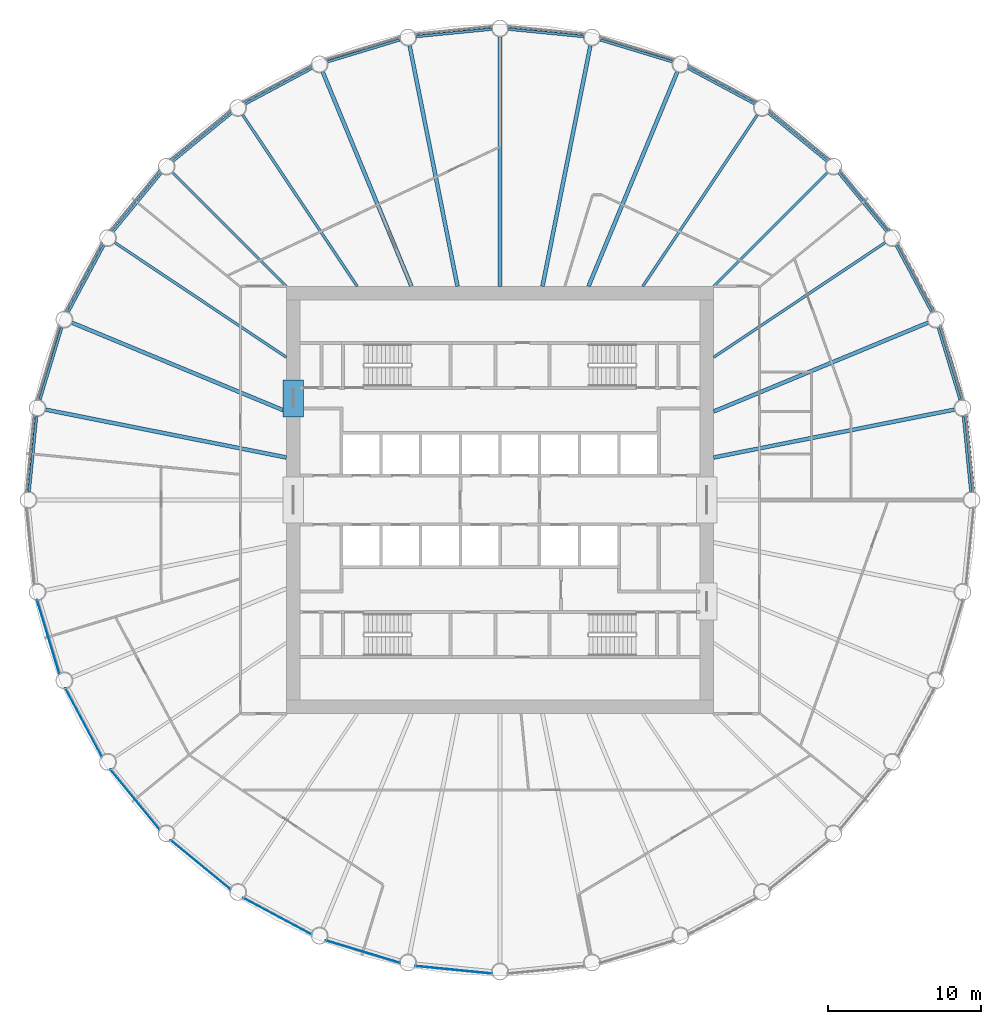
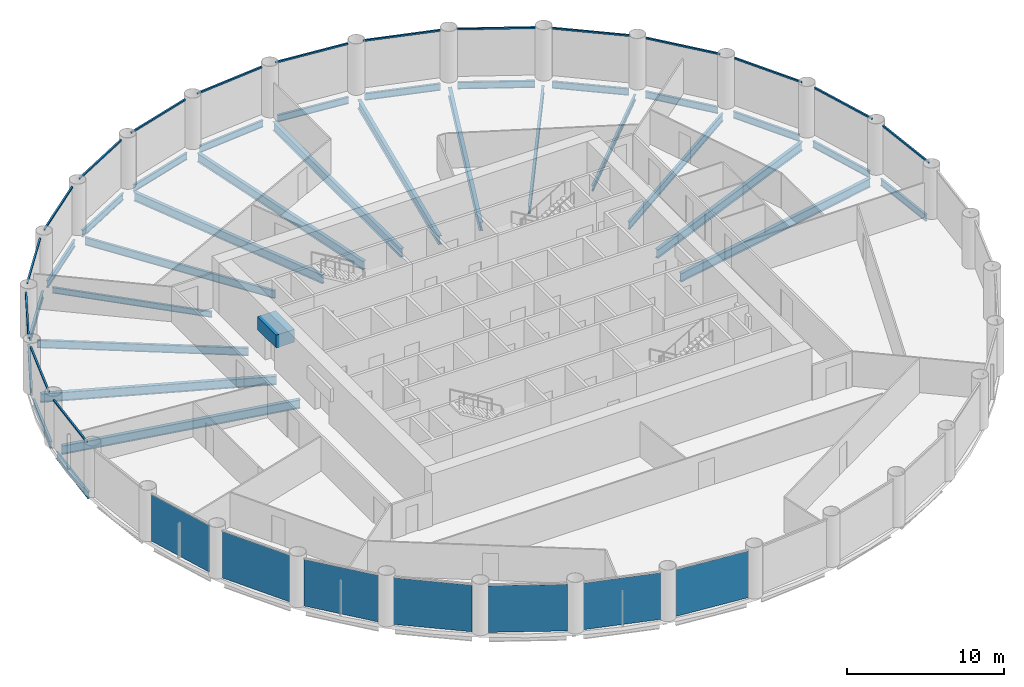
# One storey, part 2 of 8: 32 beams, 16 members, 7 plates, 23 elements without a shape of their own.
"""IFC4 building model written with IfcOpenShell, lengths in metres."""

import ifcopenshell
import ifcopenshell.guid

model = None  # the IFC model being written
_history = None  # IfcOwnerHistory: only IFC2X3 demands one
_inside = {}  # id of a spatial element -> (the spatial element, [elements in it])
_under = {}  # id of a project, library or spatial element -> (it, [spatial elements below it])
_declared = {}  # id of a project -> (the project, [libraries it declares])
_typed = {}  # id of a type object -> (the type object, [elements of that type])
_made_of = {}  # id of a material, layer set ... -> (it, [elements and type objects made of it])


def new_model(schema):
    """Start an empty IFC model of exactly this schema.

    Asked for "IFC4X3", IfcOpenShell would pick the latest addendum, in which some entities
    have other attributes; the version numbers below select the first issue.
    IFC2X3 requires an IfcOwnerHistory on every rooted entity: one is made here for all.
    """
    global model, _history
    if schema == "IFC4X3":
        model = ifcopenshell.file(schema_version=(4, 3, 0, 0))
    else:
        model = ifcopenshell.file(schema=schema)
    _inside.clear()
    _under.clear()
    _declared.clear()
    _typed.clear()
    _made_of.clear()
    _history = None
    if model.schema == "IFC2X3":
        org = make("IfcOrganization", Name="unknown")
        user = make(
            "IfcPersonAndOrganization",
            ThePerson=make("IfcPerson", FamilyName="unknown"),
            TheOrganization=org,
        )
        app = make(
            "IfcApplication",
            ApplicationDeveloper=org,
            Version="unknown",
            ApplicationFullName="unknown",
            ApplicationIdentifier="unknown",
        )
        _history = make(
            "IfcOwnerHistory",
            OwningUser=user,
            OwningApplication=app,
            ChangeAction="ADDED",
            CreationDate=0,
        )
    return model


def make(cls, **values):
    """One entity of the class cls with the attributes given. An attribute that is None is left unset."""
    return model.create_entity(
        cls, **{name: value for name, value in values.items() if value is not None}
    )


def rooted(cls, **values):
    """An entity with a GlobalId (a new one), such as an element, a storey or a relation."""
    return make(cls, GlobalId=ifcopenshell.guid.new(), OwnerHistory=_history, **values)


def si_unit(unit_type, name, prefix=None):
    """IfcSIUnit, for example si_unit("LENGTHUNIT", "METRE", prefix="MILLI")."""
    return make("IfcSIUnit", UnitType=unit_type, Prefix=prefix, Name=name)


def assignment(units):
    """IfcUnitAssignment: the units of a project."""
    return None if units is None else make("IfcUnitAssignment", Units=units)


def point(xyz):
    """IfcCartesianPoint."""
    return None if xyz is None else make("IfcCartesianPoint", Coordinates=xyz)


def direction(xyz):
    """IfcDirection."""
    return None if xyz is None else make("IfcDirection", DirectionRatios=xyz)


def frame(location, z_axis=None, x_axis=None):
    """IfcAxis2Placement3D, a coordinate frame: its origin and axes. An axis left out is left unset."""
    return make(
        "IfcAxis2Placement3D",
        Location=point(location),
        Axis=direction(z_axis),
        RefDirection=direction(x_axis),
    )


def frame_2d(location, x_axis=None):
    """IfcAxis2Placement2D, a coordinate frame in the plane: its origin and x axis."""
    return make(
        "IfcAxis2Placement2D", Location=point(location), RefDirection=direction(x_axis)
    )


def origin():
    """The frame at (0, 0, 0) with its axes left unset."""
    return frame((0.0, 0.0, 0.0))


def origin_2d():
    """The frame at (0, 0) in the plane with its x axis left unset."""
    return frame_2d((0.0, 0.0))


def place(relative_to, where):
    """IfcLocalPlacement: puts the frame where relative to a parent placement (None: the world)."""
    return make(
        "IfcLocalPlacement", PlacementRelTo=relative_to, RelativePlacement=where
    )


def context(
    kind, dimensions, precision=None, world=None, true_north=None, identifier=None
):
    """IfcGeometricRepresentationContext, for example the 3D "Model" context."""
    return make(
        "IfcGeometricRepresentationContext",
        ContextIdentifier=identifier,
        ContextType=kind,
        CoordinateSpaceDimension=dimensions,
        Precision=precision,
        WorldCoordinateSystem=world,
        TrueNorth=true_north,
    )


def subcontext(parent, identifier, kind, view, scale=None):
    """IfcGeometricRepresentationSubContext, for example "Body" below "Model"."""
    return make(
        "IfcGeometricRepresentationSubContext",
        ContextIdentifier=identifier,
        ContextType=kind,
        ParentContext=parent,
        TargetScale=scale,
        TargetView=view,
    )


def project(units=None, contexts=None):
    """IfcProject with its units and contexts."""
    return rooted(
        "IfcProject",
        Name="project",
        RepresentationContexts=contexts,
        UnitsInContext=assignment(units),
    )


def spatial(cls, under=None, at=None, **own):
    """A site, building, storey or space (cls), placed at a placement, below another one or the project."""
    s = rooted(cls, ObjectPlacement=at, **own)
    if under is not None:
        _under.setdefault(under.id(), (under, []))[1].append(s)
    return s


def profile(cls, at=None, kind="AREA", **sizes):
    """A parametric profile (cls). Its sizes go by their IFC names, for example OverallWidth=200.0."""
    return make(cls, ProfileType=kind, Position=at, **sizes)


def rectangle(**sizes):
    """IfcRectangleProfileDef."""
    return profile("IfcRectangleProfileDef", **sizes)


def i_section(**sizes):
    """IfcIShapeProfileDef."""
    return profile("IfcIShapeProfileDef", **sizes)


def extrude(swept, where, along, depth):
    """IfcExtrudedAreaSolid: the profile swept, set in the frame where, extruded along a direction by depth."""
    return make(
        "IfcExtrudedAreaSolid",
        SweptArea=swept,
        Position=where,
        ExtrudedDirection=direction(along),
        Depth=depth,
    )


def shape(context_of_items, identifier, shape_type, items):
    """IfcShapeRepresentation: the items that make up one representation, for example the "Body"."""
    return make(
        "IfcShapeRepresentation",
        ContextOfItems=context_of_items,
        RepresentationIdentifier=identifier,
        RepresentationType=shape_type,
        Items=items,
    )


def material(Name=None, Category=None):
    """IfcMaterial."""
    return make("IfcMaterial", Name=Name, Category=Category)


def layer(
    of_material, thickness, ventilated=None, Name=None, Category=None, Priority=None
):
    """IfcMaterialLayer: one layer of a wall or slab, of a material (None: an air gap)."""
    return make(
        "IfcMaterialLayer",
        Material=of_material,
        LayerThickness=thickness,
        IsVentilated=ventilated,
        Name=Name,
        Category=Category,
        Priority=Priority,
    )


def layer_set(layers, Name=None):
    """IfcMaterialLayerSet."""
    return make("IfcMaterialLayerSet", MaterialLayers=layers, LayerSetName=Name)


def material_profile(
    of_material, cross_section, Name=None, Category=None, Priority=None
):
    """IfcMaterialProfile: a cross section and its material."""
    return make(
        "IfcMaterialProfile",
        Name=Name,
        Material=of_material,
        Profile=cross_section,
        Priority=Priority,
        Category=Category,
    )


def profile_set(profiles, Name=None, composite=None):
    """IfcMaterialProfileSet."""
    return make(
        "IfcMaterialProfileSet",
        Name=Name,
        MaterialProfiles=profiles,
        CompositeProfile=composite,
    )


def made_of(thing, what):
    """Note that an element or type object is made of a material, layer set ...; save() writes the relation."""
    if what is not None:
        _made_of.setdefault(what.id(), (what, []))[1].append(thing)
    return thing


def type_object(cls, material=None, **own):
    """A type object (cls), such as IfcWallType, which elements share."""
    return made_of(rooted(cls, **own), material)


def element(
    cls,
    number,
    at=None,
    inside=None,
    cuts=None,
    type_object=None,
    material=None,
    context=None,
    identifier="Body",
    shape_type=None,
    held_by="IfcProductDefinitionShape",
    body=None,
    shapes=None,
    **own,
):
    """One element of the class cls, such as IfcWall. Its Tag is "e" and its number.

    at: its placement. inside: the storey or other place that contains it. cuts: it is an
    opening in that element (IfcRelVoidsElement). A single representation is given by context,
    identifier, shape_type and body (its items); several are given by shapes. held_by: the class
    of the entity that holds the representations. save() writes the other relations.
    """
    e = rooted(cls, Tag="e%d" % number, ObjectPlacement=at, **own)
    if body is not None:
        shapes = [shape(context, identifier, shape_type, body)]
    if shapes is not None:
        e.Representation = make(held_by, Representations=shapes)
    if inside is not None:
        _inside.setdefault(inside.id(), (inside, []))[1].append(e)
    if cuts is not None:
        rooted(
            "IfcRelVoidsElement", RelatingBuildingElement=cuts, RelatedOpeningElement=e
        )
    if type_object is not None:
        _typed.setdefault(type_object.id(), (type_object, []))[1].append(e)
    return made_of(e, material)


def aggregate(whole, parts):
    """IfcRelAggregates: a whole, such as a stair, and the parts it consists of."""
    return rooted("IfcRelAggregates", RelatingObject=whole, RelatedObjects=parts)


def save(model, path):
    """Write the relations noted so far, then the file.

    IfcRelAggregates (storeys below a building ...), IfcRelContainedInSpatialStructure (elements
    in a storey), IfcRelDefinesByType, IfcRelAssociatesMaterial and IfcRelDeclares: one each for
    every whole, place, type object, material and project.
    """
    for whole, parts in _under.values():
        aggregate(whole, parts)
    for where, things in _inside.values():
        rooted(
            "IfcRelContainedInSpatialStructure",
            RelatedElements=things,
            RelatingStructure=where,
        )
    for kind, things in _typed.values():
        rooted("IfcRelDefinesByType", RelatedObjects=things, RelatingType=kind)
    for what, things in _made_of.values():
        rooted("IfcRelAssociatesMaterial", RelatedObjects=things, RelatingMaterial=what)
    for by, libraries in _declared.values():
        rooted("IfcRelDeclares", RelatingContext=by, RelatedDefinitions=libraries)
    model.write(path)


model = new_model("IFC4")

# Units and contexts
model_context = context("Model", 3, precision=1e-05, world=origin(), true_north=direction((0.0, 1.0)))
body_context = subcontext(model_context, "Body", "Model", "MODEL_VIEW")
ifc_project = project(units=[si_unit("LENGTHUNIT", "METRE"), si_unit("AREAUNIT", "SQUARE_METRE"), si_unit("VOLUMEUNIT", "CUBIC_METRE"), si_unit("PLANEANGLEUNIT", "RADIAN"), si_unit("MASSUNIT", "GRAM", prefix="KILO")], contexts=[model_context])

# Site, building, storey
site_placement = place(None, origin())
site = spatial("IfcSite", under=ifc_project, at=site_placement, CompositionType="ELEMENT")
building_placement = place(site_placement, origin())
building = spatial("IfcBuilding", under=site, at=building_placement, Name="Corvane Civic Tower", CompositionType="ELEMENT")
storey_placement = place(building_placement, frame((0.0, 0.0, 156.0)))
storey = spatial("IfcBuildingStorey", under=building, at=storey_placement, Name="L36", CompositionType="ELEMENT", Elevation=156.0)

# Beams
ifc_material_1 = material(Name="Concrete C60/75", Category="concrete")
ifc_material_profile_1 = material_profile(ifc_material_1, rectangle(XDim=1.35009765625, YDim=1.0, at=origin_2d()), Name="COUPLING BEAM 1350X1000")
ifc_profile_set_1 = profile_set([ifc_material_profile_1], Name="Concrete C60/75")
beam_type_1 = type_object("IfcBeamType", Name="COUPLING BEAM COUPLING BEAM 1350X1000", PredefinedType="BEAM", material=ifc_profile_set_1)
beam_1_placement = place(storey_placement, frame((-13.550048828125, 5.449951171875, 2.60009765625), z_axis=(0.0, 1.0, 0.0), x_axis=(-1.0, 0.0, 0.0)))
element("IfcBeam", 1, at=beam_1_placement, inside=storey, type_object=beam_type_1, Name="BM-L36-cpl-CW-WN", PredefinedType="BEAM", context=body_context, shape_type="SweptSolid", body=[
    extrude(rectangle(XDim=1.35009765625, YDim=1.0, at=origin_2d()), origin(), (0.0, 0.0, 1.0), 2.400146484375),
])
ifc_material_2 = material(Name="Steel ASTM A992 Gr 50", Category="steel")
ifc_material_profile_2 = material_profile(ifc_material_2, i_section(OverallWidth=0.165771484375, OverallDepth=0.5283203125, WebThickness=0.009765625, FlangeThickness=0.013671875, at=origin_2d()), Name="W21X50")
ifc_profile_set_2 = profile_set([ifc_material_profile_2], Name="Steel ASTM A992 Gr 50")
beam_type_2 = type_object("IfcBeamType", Name="EDGE BEAM W21X50", PredefinedType="BEAM", material=ifc_profile_set_2)
beam_2_placement = place(storey_placement, frame((0.54736328125, 30.845947265625, -0.564208984375), z_axis=(0.995186236294, -0.09800181167, 0.0), x_axis=(0.09800181167, 0.995186236294, 0.0)))
element("IfcBeam", 2, at=beam_2_placement, inside=storey, type_object=beam_type_2, Name="BM-L36-E01", PredefinedType="BEAM", context=body_context, shape_type="SweptSolid", body=[
    extrude(i_section(OverallWidth=0.165771484375, OverallDepth=0.5283203125, WebThickness=0.009765625, FlangeThickness=0.013671875, at=origin_2d()), origin(), (0.0, 0.0, 1.0), 4.95751953125),
])
beam_3_placement = place(storey_placement, frame((6.5546875, 30.146484375, -0.564208984375), z_axis=(0.956944842086, -0.290269821381, 0.0), x_axis=(0.290269821381, 0.956944842086, 0.0)))
element("IfcBeam", 3, at=beam_3_placement, inside=storey, type_object=beam_type_2, Name="BM-L36-E02", PredefinedType="BEAM", context=body_context, shape_type="SweptSolid", body=[
    extrude(i_section(OverallWidth=0.165771484375, OverallDepth=0.5283203125, WebThickness=0.009765625, FlangeThickness=0.013671875, at=origin_2d()), origin(), (0.0, 0.0, 1.0), 4.957275390625),
])
for number, where, z_axis, x_axis, name in (
    (4, (12.31005859375, 28.28857421875, -0.564208984375), (0.881921784846, -0.471395763042, 0.0), (0.471395763042, 0.881921784846, 0.0), "BM-L36-E03"),
    (5, (17.59228515625, 25.343505859375, -0.564208984375), (0.77301516208, -0.634387546532, 0.0), (0.634387546532, 0.77301516208, 0.0), "BM-L36-E04"),
    (6, (22.198486328125, 21.424560546875, -0.564208984375), (0.634387546532, -0.77301516208, 0.0), (0.77301516208, 0.634387546532, 0.0), "BM-L36-E05"),
    (7, (25.95166015625, 16.68212890625, -0.564208984375), (0.471395763042, -0.881921784846, 0.0), (0.881921784846, 0.471395763042, 0.0), "BM-L36-E06"),
):
    element("IfcBeam", number, at=place(storey_placement, frame(where, z_axis=z_axis, x_axis=x_axis)), inside=storey, type_object=beam_type_2, Name=name, PredefinedType="BEAM", context=body_context, shape_type="SweptSolid", body=[
        extrude(i_section(OverallWidth=0.165771484375, OverallDepth=0.5283203125, WebThickness=0.009765625, FlangeThickness=0.013671875, at=origin_2d()), origin(), (0.0, 0.0, 1.0), 4.95751953125),
    ])
beam_4_placement = place(storey_placement, frame((28.70751953125, 11.298583984375, -0.564208984375), z_axis=(0.290269821381, -0.956944842086, 0.0), x_axis=(0.956944842086, 0.290269821381, 0.0)))
element("IfcBeam", 8, at=beam_4_placement, inside=storey, type_object=beam_type_2, Name="BM-L36-E07", PredefinedType="BEAM", context=body_context, shape_type="SweptSolid", body=[
    extrude(i_section(OverallWidth=0.165771484375, OverallDepth=0.5283203125, WebThickness=0.009765625, FlangeThickness=0.013671875, at=origin_2d()), origin(), (0.0, 0.0, 1.0), 4.957275390625),
])
for number, where, z_axis, x_axis, name in (
    (9, (30.360107421875, 5.48095703125, -0.564208984375), (0.09800181167, -0.995186236294, 0.0), (0.995186236294, 0.09800181167, 0.0), "BM-L36-E08"),
    (10, (-30.845947265625, 0.54736328125, -0.564208984375), (0.09800181167, 0.995186236294, 0.0), (-0.995186236294, 0.09800181167, 0.0), "BM-L36-E25"),
):
    element("IfcBeam", number, at=place(storey_placement, frame(where, z_axis=z_axis, x_axis=x_axis)), inside=storey, type_object=beam_type_2, Name=name, PredefinedType="BEAM", context=body_context, shape_type="SweptSolid", body=[
        extrude(i_section(OverallWidth=0.165771484375, OverallDepth=0.5283203125, WebThickness=0.009765625, FlangeThickness=0.013671875, at=origin_2d()), origin(), (0.0, 0.0, 1.0), 4.95751953125),
    ])
beam_5_placement = place(storey_placement, frame((-30.146484375, 6.5546875, -0.564208984375), z_axis=(0.290269821381, 0.956944842086, 0.0), x_axis=(-0.956944842086, 0.290269821381, 0.0)))
element("IfcBeam", 11, at=beam_5_placement, inside=storey, type_object=beam_type_2, Name="BM-L36-E26", PredefinedType="BEAM", context=body_context, shape_type="SweptSolid", body=[
    extrude(i_section(OverallWidth=0.165771484375, OverallDepth=0.5283203125, WebThickness=0.009765625, FlangeThickness=0.013671875, at=origin_2d()), origin(), (0.0, 0.0, 1.0), 4.957275390625),
])
for number, where, z_axis, x_axis, name in (
    (12, (-28.28857421875, 12.31005859375, -0.564208984375), (0.471395763042, 0.881921784846, 0.0), (-0.881921784846, 0.471395763042, 0.0), "BM-L36-E27"),
    (13, (-25.343505859375, 17.59228515625, -0.564208984375), (0.634387546532, 0.77301516208, 0.0), (-0.77301516208, 0.634387546532, 0.0), "BM-L36-E28"),
    (14, (-21.424560546875, 22.198486328125, -0.564208984375), (0.77301516208, 0.634387546532, 0.0), (-0.634387546532, 0.77301516208, 0.0), "BM-L36-E29"),
    (15, (-16.68212890625, 25.95166015625, -0.564208984375), (0.881921784846, 0.471395763042, 0.0), (-0.471395763042, 0.881921784846, 0.0), "BM-L36-E30"),
):
    element("IfcBeam", number, at=place(storey_placement, frame(where, z_axis=z_axis, x_axis=x_axis)), inside=storey, type_object=beam_type_2, Name=name, PredefinedType="BEAM", context=body_context, shape_type="SweptSolid", body=[
        extrude(i_section(OverallWidth=0.165771484375, OverallDepth=0.5283203125, WebThickness=0.009765625, FlangeThickness=0.013671875, at=origin_2d()), origin(), (0.0, 0.0, 1.0), 4.95751953125),
    ])
beam_6_placement = place(storey_placement, frame((-11.298583984375, 28.70751953125, -0.564208984375), z_axis=(0.956944842086, 0.290269821381, 0.0), x_axis=(-0.290269821381, 0.956944842086, 0.0)))
element("IfcBeam", 16, at=beam_6_placement, inside=storey, type_object=beam_type_2, Name="BM-L36-E31", PredefinedType="BEAM", context=body_context, shape_type="SweptSolid", body=[
    extrude(i_section(OverallWidth=0.165771484375, OverallDepth=0.5283203125, WebThickness=0.009765625, FlangeThickness=0.013671875, at=origin_2d()), origin(), (0.0, 0.0, 1.0), 4.957275390625),
])
beam_7_placement = place(storey_placement, frame((-5.48095703125, 30.360107421875, -0.564208984375), z_axis=(0.995186236294, 0.09800181167, 0.0), x_axis=(-0.09800181167, 0.995186236294, 0.0)))
element("IfcBeam", 17, at=beam_7_placement, inside=storey, type_object=beam_type_2, Name="BM-L36-E32", PredefinedType="BEAM", context=body_context, shape_type="SweptSolid", body=[
    extrude(i_section(OverallWidth=0.165771484375, OverallDepth=0.5283203125, WebThickness=0.009765625, FlangeThickness=0.013671875, at=origin_2d()), origin(), (0.0, 0.0, 1.0), 4.95751953125),
])
ifc_material_3 = material(Name="Steel ASTM A992 Gr 50", Category="steel")
ifc_material_profile_3 = material_profile(ifc_material_3, i_section(OverallWidth=0.15283203125, OverallDepth=0.45458984375, WebThickness=0.008056640625, FlangeThickness=0.013427734375, at=origin_2d()), Name="W18X40")
ifc_profile_set_3 = profile_set([ifc_material_profile_3], Name="Steel ASTM A992 Gr 50")
beam_type_3 = type_object("IfcBeamType", Name="FLOOR GIRDER W18X40", PredefinedType="BEAM", material=ifc_profile_set_3)
for number, where, z_axis, x_axis, name in (
    (18, (14.0, 14.0, -0.52734375), (0.707106781187, 0.707106781187, 0.0), (-0.707106781187, 0.707106781187, 0.0), "BM-L36-G05"),
    (19, (-14.0, 14.0, -0.52734375), (-0.707106781187, 0.707106781187, 0.0), (-0.707106781187, -0.707106781187, 0.0), "BM-L36-G29"),
):
    element("IfcBeam", number, at=place(storey_placement, frame(where, z_axis=z_axis, x_axis=x_axis)), inside=storey, type_object=beam_type_3, Name=name, PredefinedType="BEAM", context=body_context, shape_type="SweptSolid", body=[
        extrude(i_section(OverallWidth=0.15283203125, OverallDepth=0.45458984375, WebThickness=0.008056640625, FlangeThickness=0.013427734375, at=origin_2d()), origin(), (0.0, 0.0, 1.0), 10.551025390625),
    ])
ifc_material_4 = material(Name="Steel ASTM A992 Gr 50", Category="steel")
ifc_material_profile_4 = material_profile(ifc_material_4, i_section(OverallWidth=0.177978515625, OverallDepth=0.599365234375, WebThickness=0.010009765625, FlangeThickness=0.012939453125, at=origin_2d()), Name="W24X55")
ifc_profile_set_4 = profile_set([ifc_material_profile_4], Name="Steel ASTM A992 Gr 50")
beam_type_4 = type_object("IfcBeamType", Name="FLOOR GIRDER W24X55", PredefinedType="BEAM", material=ifc_profile_set_4)
for number, where, z_axis, x_axis, name in (
    (20, (9.3544921875, 14.0, -0.599609375), (0.555571323015, 0.83146888399, 0.0), (-0.83146888399, 0.555571323015, 0.0), "BM-L36-G04"),
    (21, (14.0, 9.3544921875, -0.599609375), (0.83146888399, 0.555571323015, 0.0), (-0.555571323015, 0.83146888399, 0.0), "BM-L36-G06"),
    (22, (-14.0, 9.3544921875, -0.599609375), (-0.83146888399, 0.555571323015, 0.0), (-0.555571323015, -0.83146888399, 0.0), "BM-L36-G28"),
    (23, (-9.3544921875, 14.0, -0.599609375), (-0.555571323015, 0.83146888399, 0.0), (-0.83146888399, -0.555571323015, 0.0), "BM-L36-G30"),
):
    element("IfcBeam", number, at=place(storey_placement, frame(where, z_axis=z_axis, x_axis=x_axis)), inside=storey, type_object=beam_type_4, Name=name, PredefinedType="BEAM", context=body_context, shape_type="SweptSolid", body=[
        extrude(i_section(OverallWidth=0.177978515625, OverallDepth=0.599365234375, WebThickness=0.010009765625, FlangeThickness=0.012939453125, at=origin_2d()), origin(), (0.0, 0.0, 1.0), 13.512451171875),
    ])
ifc_material_5 = material(Name="Steel ASTM A992 Gr 50", Category="steel")
ifc_material_profile_5 = material_profile(ifc_material_5, i_section(OverallWidth=0.25390625, OverallDepth=0.67822265625, WebThickness=0.01171875, FlangeThickness=0.016357421875, at=origin_2d()), Name="W27X84")
ifc_profile_set_5 = profile_set([ifc_material_profile_5], Name="Steel ASTM A992 Gr 50")
beam_type_5 = type_object("IfcBeamType", Name="FLOOR GIRDER W27X84", PredefinedType="BEAM", material=ifc_profile_set_5)
beam_8_placement = place(storey_placement, frame((0.0, 14.0, -0.63916015625), z_axis=(0.0, 1.0, 0.0), x_axis=(-1.0, 0.0, 0.0)))
element("IfcBeam", 24, at=beam_8_placement, inside=storey, type_object=beam_type_5, Name="BM-L36-G01", PredefinedType="BEAM", context=body_context, shape_type="SweptSolid", body=[
    extrude(i_section(OverallWidth=0.25390625, OverallDepth=0.67822265625, WebThickness=0.01171875, FlangeThickness=0.016357421875, at=origin_2d()), origin(), (0.0, 0.0, 1.0), 16.35009765625),
])
beam_9_placement = place(storey_placement, frame((2.78466796875, 14.0, -0.63916015625), z_axis=(0.195090912248, 0.980785162999, 0.0), x_axis=(-0.980785162999, 0.195090912248, 0.0)))
element("IfcBeam", 25, at=beam_9_placement, inside=storey, type_object=beam_type_5, Name="BM-L36-G02", PredefinedType="BEAM", context=body_context, shape_type="SweptSolid", body=[
    extrude(i_section(OverallWidth=0.25390625, OverallDepth=0.67822265625, WebThickness=0.01171875, FlangeThickness=0.016357421875, at=origin_2d()), origin(), (0.0, 0.0, 1.0), 16.07568359375),
])
for number, where, z_axis, x_axis, name in (
    (26, (5.799072265625, 14.0, -0.63916015625), (0.38268097323, 0.923880551114, 0.0), (-0.923880551114, 0.38268097323, 0.0), "BM-L36-G03"),
    (27, (14.0, 5.799072265625, -0.63916015625), (0.923880551114, 0.38268097323, 0.0), (-0.38268097323, 0.923880551114, 0.0), "BM-L36-G07"),
):
    element("IfcBeam", number, at=place(storey_placement, frame(where, z_axis=z_axis, x_axis=x_axis)), inside=storey, type_object=beam_type_5, Name=name, PredefinedType="BEAM", context=body_context, shape_type="SweptSolid", body=[
        extrude(i_section(OverallWidth=0.25390625, OverallDepth=0.67822265625, WebThickness=0.01171875, FlangeThickness=0.016357421875, at=origin_2d()), origin(), (0.0, 0.0, 1.0), 15.196533203125),
    ])
for number, where, z_axis, x_axis, name in (
    (28, (14.0, 2.78466796875, -0.63916015625), (0.980785162999, 0.195090912248, 0.0), (-0.195090912248, 0.980785162999, 0.0), "BM-L36-G08"),
    (29, (-14.0, 2.78466796875, -0.63916015625), (-0.980785162999, 0.195090912248, 0.0), (-0.195090912248, -0.980785162999, 0.0), "BM-L36-G26"),
):
    element("IfcBeam", number, at=place(storey_placement, frame(where, z_axis=z_axis, x_axis=x_axis)), inside=storey, type_object=beam_type_5, Name=name, PredefinedType="BEAM", context=body_context, shape_type="SweptSolid", body=[
        extrude(i_section(OverallWidth=0.25390625, OverallDepth=0.67822265625, WebThickness=0.01171875, FlangeThickness=0.016357421875, at=origin_2d()), origin(), (0.0, 0.0, 1.0), 16.07568359375),
    ])
for number, where, z_axis, x_axis, name in (
    (30, (-14.0, 5.799072265625, -0.63916015625), (-0.923880551114, 0.38268097323, 0.0), (-0.38268097323, -0.923880551114, 0.0), "BM-L36-G27"),
    (31, (-5.799072265625, 14.0, -0.63916015625), (-0.38268097323, 0.923880551114, 0.0), (-0.923880551114, -0.38268097323, 0.0), "BM-L36-G31"),
):
    element("IfcBeam", number, at=place(storey_placement, frame(where, z_axis=z_axis, x_axis=x_axis)), inside=storey, type_object=beam_type_5, Name=name, PredefinedType="BEAM", context=body_context, shape_type="SweptSolid", body=[
        extrude(i_section(OverallWidth=0.25390625, OverallDepth=0.67822265625, WebThickness=0.01171875, FlangeThickness=0.016357421875, at=origin_2d()), origin(), (0.0, 0.0, 1.0), 15.196533203125),
    ])
beam_10_placement = place(storey_placement, frame((-2.78466796875, 14.0, -0.63916015625), z_axis=(-0.195090912248, 0.980785162999, 0.0), x_axis=(-0.980785162999, -0.195090912248, 0.0)))
element("IfcBeam", 32, at=beam_10_placement, inside=storey, type_object=beam_type_5, Name="BM-L36-G32", PredefinedType="BEAM", context=body_context, shape_type="SweptSolid", body=[
    extrude(i_section(OverallWidth=0.25390625, OverallDepth=0.67822265625, WebThickness=0.01171875, FlangeThickness=0.016357421875, at=origin_2d()), origin(), (0.0, 0.0, 1.0), 16.07568359375),
])

# Curtain wall, member
ifc_material_6 = material(Name="Anodised aluminium bronze", Category="aluminium")
curtain_wall_type = type_object("IfcCurtainWallType", Name="TOWER CW-T2 STICK CURTAIN WALL", PredefinedType="NOTDEFINED", material=ifc_material_6)
curtain_wall_1_placement = place(storey_placement, origin())
curtain_wall_1 = element("IfcCurtainWall", 33, at=curtain_wall_1_placement, inside=storey, type_object=curtain_wall_type, Name="Curtain wall CW-T2 L36 bay 01", PredefinedType="NOTDEFINED")
ifc_material_7 = material(Name="Anodised aluminium bronze", Category="aluminium")
ifc_material_profile_6 = material_profile(ifc_material_7, rectangle(XDim=0.1201171875, YDim=0.1201171875, at=origin_2d()), Name="TOWER CW-T2 TRANSOM 120x120")
ifc_profile_set_6 = profile_set([ifc_material_profile_6], Name="Anodised aluminium bronze")
member_type = type_object("IfcMemberType", Name="TOWER CW-T2 TRANSOM 120x120", PredefinedType="USERDEFINED", material=ifc_profile_set_6)
member_1_placement = place(storey_placement, frame((0.505126953125, 31.0302734375, 3.68994140625), z_axis=(0.995187423416, -0.097989755963, 0.0), x_axis=(0.097989755963, 0.995187423416, 0.0)))
member_1 = element("IfcMember", 34, at=member_1_placement, type_object=member_type, Name="Transom CW-T2 L36 01.1", ObjectType="TRANSOM", PredefinedType="USERDEFINED", context=body_context, shape_type="SweptSolid", body=[
    extrude(rectangle(XDim=0.1201171875, YDim=0.1201171875, at=origin_2d()), origin(), (0.0, 0.0, 1.0), 5.07763671875),
])
aggregate(curtain_wall_1, [member_1])

curtain_wall_2_placement = place(storey_placement, origin())
curtain_wall_2 = element("IfcCurtainWall", 35, at=curtain_wall_2_placement, inside=storey, type_object=curtain_wall_type, Name="Curtain wall CW-T2 L36 bay 02", PredefinedType="NOTDEFINED")
member_2_placement = place(storey_placement, frame((6.54931640625, 30.33544921875, 3.68994140625), z_axis=(0.956939031389, -0.290288977061, 0.0), x_axis=(0.290288977061, 0.956939031389, 0.0)))
member_2 = element("IfcMember", 36, at=member_2_placement, type_object=member_type, Name="Transom CW-T2 L36 02.1", ObjectType="TRANSOM", PredefinedType="USERDEFINED", context=body_context, shape_type="SweptSolid", body=[
    extrude(rectangle(XDim=0.1201171875, YDim=0.1201171875, at=origin_2d()), origin(), (0.0, 0.0, 1.0), 5.077392578125),
])
aggregate(curtain_wall_2, [member_2])

curtain_wall_3_placement = place(storey_placement, origin())
curtain_wall_3 = element("IfcCurtainWall", 37, at=curtain_wall_3_placement, inside=storey, type_object=curtain_wall_type, Name="Curtain wall CW-T2 L36 bay 03", PredefinedType="NOTDEFINED")
member_3_placement = place(storey_placement, frame((12.341552734375, 28.474853515625, 3.68994140625), z_axis=(0.881921329426, -0.471396615074, 0.0), x_axis=(0.471396615074, 0.881921329426, 0.0)))
member_3 = element("IfcMember", 38, at=member_3_placement, type_object=member_type, Name="Transom CW-T2 L36 03.1", ObjectType="TRANSOM", PredefinedType="USERDEFINED", context=body_context, shape_type="SweptSolid", body=[
    extrude(rectangle(XDim=0.1201171875, YDim=0.1201171875, at=origin_2d()), origin(), (0.0, 0.0, 1.0), 5.07763671875),
])
aggregate(curtain_wall_3, [member_3])

curtain_wall_4_placement = place(storey_placement, origin())
curtain_wall_4 = element("IfcCurtainWall", 39, at=curtain_wall_4_placement, inside=storey, type_object=curtain_wall_type, Name="Curtain wall CW-T2 L36 bay 04", PredefinedType="NOTDEFINED")
member_4_placement = place(storey_placement, frame((17.65966796875, 25.519775390625, 3.68994140625), z_axis=(0.773015929719, -0.634386611146, 0.0), x_axis=(0.634386611146, 0.773015929719, 0.0)))
member_4 = element("IfcMember", 40, at=member_4_placement, type_object=member_type, Name="Transom CW-T2 L36 04.1", ObjectType="TRANSOM", PredefinedType="USERDEFINED", context=body_context, shape_type="SweptSolid", body=[
    extrude(rectangle(XDim=0.1201171875, YDim=0.1201171875, at=origin_2d()), origin(), (0.0, 0.0, 1.0), 5.0771484375),
])
aggregate(curtain_wall_4, [member_4])

curtain_wall_5_placement = place(storey_placement, origin())
curtain_wall_5 = element("IfcCurtainWall", 41, at=curtain_wall_5_placement, inside=storey, type_object=curtain_wall_type, Name="Curtain wall CW-T2 L36 bay 05", PredefinedType="NOTDEFINED")
member_5_placement = place(storey_placement, frame((22.298828125, 21.58447265625, 3.68994140625), z_axis=(0.634386611146, -0.773015929719, 0.0), x_axis=(0.773015929719, 0.634386611146, 0.0)))
member_5 = element("IfcMember", 42, at=member_5_placement, type_object=member_type, Name="Transom CW-T2 L36 05.1", ObjectType="TRANSOM", PredefinedType="USERDEFINED", context=body_context, shape_type="SweptSolid", body=[
    extrude(rectangle(XDim=0.1201171875, YDim=0.1201171875, at=origin_2d()), origin(), (0.0, 0.0, 1.0), 5.0771484375),
])
aggregate(curtain_wall_5, [member_5])

curtain_wall_6_placement = place(storey_placement, origin())
curtain_wall_6 = element("IfcCurtainWall", 43, at=curtain_wall_6_placement, inside=storey, type_object=curtain_wall_type, Name="Curtain wall CW-T2 L36 bay 06", PredefinedType="NOTDEFINED")
member_6_placement = place(storey_placement, frame((26.081298828125, 16.819580078125, 3.68994140625), z_axis=(0.471396615074, -0.881921329426, 0.0), x_axis=(0.881921329426, 0.471396615074, 0.0)))
member_6 = element("IfcMember", 44, at=member_6_placement, type_object=member_type, Name="Transom CW-T2 L36 06.1", ObjectType="TRANSOM", PredefinedType="USERDEFINED", context=body_context, shape_type="SweptSolid", body=[
    extrude(rectangle(XDim=0.1201171875, YDim=0.1201171875, at=origin_2d()), origin(), (0.0, 0.0, 1.0), 5.07763671875),
])
aggregate(curtain_wall_6, [member_6])

curtain_wall_7_placement = place(storey_placement, origin())
curtain_wall_7 = element("IfcCurtainWall", 45, at=curtain_wall_7_placement, inside=storey, type_object=curtain_wall_type, Name="Curtain wall CW-T2 L36 bay 07", PredefinedType="NOTDEFINED")
member_7_placement = place(storey_placement, frame((28.861572265625, 11.407958984375, 3.68994140625), z_axis=(0.290288977061, -0.956939031389, 0.0), x_axis=(0.956939031389, 0.290288977061, 0.0)))
member_7 = element("IfcMember", 46, at=member_7_placement, type_object=member_type, Name="Transom CW-T2 L36 07.1", ObjectType="TRANSOM", PredefinedType="USERDEFINED", context=body_context, shape_type="SweptSolid", body=[
    extrude(rectangle(XDim=0.1201171875, YDim=0.1201171875, at=origin_2d()), origin(), (0.0, 0.0, 1.0), 5.077392578125),
])
aggregate(curtain_wall_7, [member_7])

curtain_wall_8_placement = place(storey_placement, origin())
curtain_wall_8 = element("IfcCurtainWall", 47, at=curtain_wall_8_placement, inside=storey, type_object=curtain_wall_type, Name="Curtain wall CW-T2 L36 bay 08", PredefinedType="NOTDEFINED")
member_8_placement = place(storey_placement, frame((30.53271484375, 5.558349609375, 3.68994140625), z_axis=(0.097989755963, -0.995187423416, 0.0), x_axis=(0.995187423416, 0.097989755963, 0.0)))
member_8 = element("IfcMember", 48, at=member_8_placement, type_object=member_type, Name="Transom CW-T2 L36 08.1", ObjectType="TRANSOM", PredefinedType="USERDEFINED", context=body_context, shape_type="SweptSolid", body=[
    extrude(rectangle(XDim=0.1201171875, YDim=0.1201171875, at=origin_2d()), origin(), (0.0, 0.0, 1.0), 5.07763671875),
])
aggregate(curtain_wall_8, [member_8])

curtain_wall_9_placement = place(storey_placement, origin())
curtain_wall_9 = element("IfcCurtainWall", 49, at=curtain_wall_9_placement, inside=storey, type_object=curtain_wall_type, Name="Curtain wall CW-T2 L36 bay 25", PredefinedType="NOTDEFINED")
member_9_placement = place(storey_placement, frame((-31.0302734375, 0.505126953125, 3.68994140625), z_axis=(0.097989755963, 0.995187423416, 0.0), x_axis=(-0.995187423416, 0.097989755963, 0.0)))
member_9 = element("IfcMember", 50, at=member_9_placement, type_object=member_type, Name="Transom CW-T2 L36 25.1", ObjectType="TRANSOM", PredefinedType="USERDEFINED", context=body_context, shape_type="SweptSolid", body=[
    extrude(rectangle(XDim=0.1201171875, YDim=0.1201171875, at=origin_2d()), origin(), (0.0, 0.0, 1.0), 5.07763671875),
])
aggregate(curtain_wall_9, [member_9])

curtain_wall_10_placement = place(storey_placement, origin())
curtain_wall_10 = element("IfcCurtainWall", 51, at=curtain_wall_10_placement, inside=storey, type_object=curtain_wall_type, Name="Curtain wall CW-T2 L36 bay 26", PredefinedType="NOTDEFINED")
member_10_placement = place(storey_placement, frame((-30.33544921875, 6.54931640625, 3.68994140625), z_axis=(0.290288977061, 0.956939031389, 0.0), x_axis=(-0.956939031389, 0.290288977061, 0.0)))
member_10 = element("IfcMember", 52, at=member_10_placement, type_object=member_type, Name="Transom CW-T2 L36 26.1", ObjectType="TRANSOM", PredefinedType="USERDEFINED", context=body_context, shape_type="SweptSolid", body=[
    extrude(rectangle(XDim=0.1201171875, YDim=0.1201171875, at=origin_2d()), origin(), (0.0, 0.0, 1.0), 5.077392578125),
])
aggregate(curtain_wall_10, [member_10])

curtain_wall_11_placement = place(storey_placement, origin())
curtain_wall_11 = element("IfcCurtainWall", 53, at=curtain_wall_11_placement, inside=storey, type_object=curtain_wall_type, Name="Curtain wall CW-T2 L36 bay 27", PredefinedType="NOTDEFINED")
member_11_placement = place(storey_placement, frame((-28.474853515625, 12.341552734375, 3.68994140625), z_axis=(0.471396615074, 0.881921329426, 0.0), x_axis=(-0.881921329426, 0.471396615074, 0.0)))
member_11 = element("IfcMember", 54, at=member_11_placement, type_object=member_type, Name="Transom CW-T2 L36 27.1", ObjectType="TRANSOM", PredefinedType="USERDEFINED", context=body_context, shape_type="SweptSolid", body=[
    extrude(rectangle(XDim=0.1201171875, YDim=0.1201171875, at=origin_2d()), origin(), (0.0, 0.0, 1.0), 5.07763671875),
])
aggregate(curtain_wall_11, [member_11])

curtain_wall_12_placement = place(storey_placement, origin())
curtain_wall_12 = element("IfcCurtainWall", 55, at=curtain_wall_12_placement, inside=storey, type_object=curtain_wall_type, Name="Curtain wall CW-T2 L36 bay 28", PredefinedType="NOTDEFINED")
member_12_placement = place(storey_placement, frame((-25.519775390625, 17.65966796875, 3.68994140625), z_axis=(0.634386611146, 0.773015929719, 0.0), x_axis=(-0.773015929719, 0.634386611146, 0.0)))
member_12 = element("IfcMember", 56, at=member_12_placement, type_object=member_type, Name="Transom CW-T2 L36 28.1", ObjectType="TRANSOM", PredefinedType="USERDEFINED", context=body_context, shape_type="SweptSolid", body=[
    extrude(rectangle(XDim=0.1201171875, YDim=0.1201171875, at=origin_2d()), origin(), (0.0, 0.0, 1.0), 5.0771484375),
])
aggregate(curtain_wall_12, [member_12])

curtain_wall_13_placement = place(storey_placement, origin())
curtain_wall_13 = element("IfcCurtainWall", 57, at=curtain_wall_13_placement, inside=storey, type_object=curtain_wall_type, Name="Curtain wall CW-T2 L36 bay 29", PredefinedType="NOTDEFINED")
member_13_placement = place(storey_placement, frame((-21.58447265625, 22.298828125, 3.68994140625), z_axis=(0.773015929719, 0.634386611146, 0.0), x_axis=(-0.634386611146, 0.773015929719, 0.0)))
member_13 = element("IfcMember", 58, at=member_13_placement, type_object=member_type, Name="Transom CW-T2 L36 29.1", ObjectType="TRANSOM", PredefinedType="USERDEFINED", context=body_context, shape_type="SweptSolid", body=[
    extrude(rectangle(XDim=0.1201171875, YDim=0.1201171875, at=origin_2d()), origin(), (0.0, 0.0, 1.0), 5.0771484375),
])
aggregate(curtain_wall_13, [member_13])

curtain_wall_14_placement = place(storey_placement, origin())
curtain_wall_14 = element("IfcCurtainWall", 59, at=curtain_wall_14_placement, inside=storey, type_object=curtain_wall_type, Name="Curtain wall CW-T2 L36 bay 30", PredefinedType="NOTDEFINED")
member_14_placement = place(storey_placement, frame((-16.819580078125, 26.081298828125, 3.68994140625), z_axis=(0.881921329426, 0.471396615074, 0.0), x_axis=(-0.471396615074, 0.881921329426, 0.0)))
member_14 = element("IfcMember", 60, at=member_14_placement, type_object=member_type, Name="Transom CW-T2 L36 30.1", ObjectType="TRANSOM", PredefinedType="USERDEFINED", context=body_context, shape_type="SweptSolid", body=[
    extrude(rectangle(XDim=0.1201171875, YDim=0.1201171875, at=origin_2d()), origin(), (0.0, 0.0, 1.0), 5.07763671875),
])
aggregate(curtain_wall_14, [member_14])

curtain_wall_15_placement = place(storey_placement, origin())
curtain_wall_15 = element("IfcCurtainWall", 61, at=curtain_wall_15_placement, inside=storey, type_object=curtain_wall_type, Name="Curtain wall CW-T2 L36 bay 31", PredefinedType="NOTDEFINED")
member_15_placement = place(storey_placement, frame((-11.407958984375, 28.861572265625, 3.68994140625), z_axis=(0.956939031389, 0.290288977061, 0.0), x_axis=(-0.290288977061, 0.956939031389, 0.0)))
member_15 = element("IfcMember", 62, at=member_15_placement, type_object=member_type, Name="Transom CW-T2 L36 31.1", ObjectType="TRANSOM", PredefinedType="USERDEFINED", context=body_context, shape_type="SweptSolid", body=[
    extrude(rectangle(XDim=0.1201171875, YDim=0.1201171875, at=origin_2d()), origin(), (0.0, 0.0, 1.0), 5.077392578125),
])
aggregate(curtain_wall_15, [member_15])

curtain_wall_16_placement = place(storey_placement, origin())
curtain_wall_16 = element("IfcCurtainWall", 63, at=curtain_wall_16_placement, inside=storey, type_object=curtain_wall_type, Name="Curtain wall CW-T2 L36 bay 32", PredefinedType="NOTDEFINED")
member_16_placement = place(storey_placement, frame((-5.558349609375, 30.53271484375, 3.68994140625), z_axis=(0.995187423416, 0.097989755963, 0.0), x_axis=(-0.097989755963, 0.995187423416, 0.0)))
member_16 = element("IfcMember", 64, at=member_16_placement, type_object=member_type, Name="Transom CW-T2 L36 32.1", ObjectType="TRANSOM", PredefinedType="USERDEFINED", context=body_context, shape_type="SweptSolid", body=[
    extrude(rectangle(XDim=0.1201171875, YDim=0.1201171875, at=origin_2d()), origin(), (0.0, 0.0, 1.0), 5.07763671875),
])
aggregate(curtain_wall_16, [member_16])

# Curtain wall, plate
curtain_wall_17_placement = place(storey_placement, origin())
curtain_wall_17 = element("IfcCurtainWall", 65, at=curtain_wall_17_placement, inside=storey, type_object=curtain_wall_type, Name="Curtain wall CW-T2 L36 bay 17", PredefinedType="NOTDEFINED")
ifc_material_8 = material(Name="Tinted glass", Category="glass")
ifc_layer = layer(ifc_material_8, 0.031982421875)
ifc_layer_set = layer_set([ifc_layer], Name="Tinted glass")
plate_type = type_object("IfcPlateType", Name="TOWER CW-T2 PANEL IGU32", PredefinedType="CURTAIN_PANEL", material=ifc_layer_set)
plate_1_placement = place(storey_placement, frame((-3.03173828125, -30.781494140625, 0.0), z_axis=(0.0, 0.0, 1.0), x_axis=(-0.995185244531, 0.098011882274, 0.0)))
plate_1 = element("IfcPlate", 66, at=plate_1_placement, type_object=plate_type, Name="Glass panel CW-T2 L36 17.1", PredefinedType="CURTAIN_PANEL", context=body_context, shape_type="SweptSolid", body=[
    extrude(rectangle(XDim=5.07763671875, YDim=0.031982421875, at=origin_2d()), origin(), (0.0, 0.0, 1.0), 3.6298828125),
])
aggregate(curtain_wall_17, [plate_1])

curtain_wall_18_placement = place(storey_placement, origin())
curtain_wall_18 = element("IfcCurtainWall", 67, at=curtain_wall_18_placement, inside=storey, type_object=curtain_wall_type, Name="Curtain wall CW-T2 L36 bay 18", PredefinedType="NOTDEFINED")
plate_2_placement = place(storey_placement, frame((-8.978515625, -29.5986328125, 0.0), z_axis=(0.0, 0.0, 1.0), x_axis=(-0.956931677007, 0.290313219714, 0.0)))
plate_2 = element("IfcPlate", 68, at=plate_2_placement, type_object=plate_type, Name="Glass panel CW-T2 L36 18.1", PredefinedType="CURTAIN_PANEL", context=body_context, shape_type="SweptSolid", body=[
    extrude(rectangle(XDim=5.077392578125, YDim=0.031982421875, at=origin_2d()), origin(), (0.0, 0.0, 1.0), 3.6298828125),
])
aggregate(curtain_wall_18, [plate_2])

curtain_wall_19_placement = place(storey_placement, origin())
curtain_wall_19 = element("IfcCurtainWall", 69, at=curtain_wall_19_placement, inside=storey, type_object=curtain_wall_type, Name="Curtain wall CW-T2 L36 bay 19", PredefinedType="NOTDEFINED")
plate_3_placement = place(storey_placement, frame((-14.58056640625, -27.278076171875, 0.0), z_axis=(0.0, 0.0, 1.0), x_axis=(-0.881922190434, 0.471395004238, 0.0)))
plate_3 = element("IfcPlate", 70, at=plate_3_placement, type_object=plate_type, Name="Glass panel CW-T2 L36 19.1", PredefinedType="CURTAIN_PANEL", context=body_context, shape_type="SweptSolid", body=[
    extrude(rectangle(XDim=5.077392578125, YDim=0.031982421875, at=origin_2d()), origin(), (0.0, 0.0, 1.0), 3.6298828125),
])
aggregate(curtain_wall_19, [plate_3])

curtain_wall_20_placement = place(storey_placement, origin())
curtain_wall_20 = element("IfcCurtainWall", 71, at=curtain_wall_20_placement, inside=storey, type_object=curtain_wall_type, Name="Curtain wall CW-T2 L36 bay 20", PredefinedType="NOTDEFINED")
plate_4_placement = place(storey_placement, frame((-19.6220703125, -23.909423828125, 0.0), z_axis=(0.0, 0.0, 1.0), x_axis=(-0.773004844196, 0.634400118891, 0.0)))
plate_4 = element("IfcPlate", 72, at=plate_4_placement, type_object=plate_type, Name="Glass panel CW-T2 L36 20.1", PredefinedType="CURTAIN_PANEL", context=body_context, shape_type="SweptSolid", body=[
    extrude(rectangle(XDim=5.0771484375, YDim=0.031982421875, at=origin_2d()), origin(), (0.0, 0.0, 1.0), 3.6298828125),
])
aggregate(curtain_wall_20, [plate_4])

curtain_wall_21_placement = place(storey_placement, origin())
curtain_wall_21 = element("IfcCurtainWall", 73, at=curtain_wall_21_placement, inside=storey, type_object=curtain_wall_type, Name="Curtain wall CW-T2 L36 bay 21", PredefinedType="NOTDEFINED")
plate_5_placement = place(storey_placement, frame((-23.909423828125, -19.6220703125, 0.0), z_axis=(0.0, 0.0, 1.0), x_axis=(-0.634400118891, 0.773004844196, 0.0)))
plate_5 = element("IfcPlate", 74, at=plate_5_placement, type_object=plate_type, Name="Glass panel CW-T2 L36 21.1", PredefinedType="CURTAIN_PANEL", context=body_context, shape_type="SweptSolid", body=[
    extrude(rectangle(XDim=5.0771484375, YDim=0.031982421875, at=origin_2d()), origin(), (0.0, 0.0, 1.0), 3.6298828125),
])
aggregate(curtain_wall_21, [plate_5])

curtain_wall_22_placement = place(storey_placement, origin())
curtain_wall_22 = element("IfcCurtainWall", 75, at=curtain_wall_22_placement, inside=storey, type_object=curtain_wall_type, Name="Curtain wall CW-T2 L36 bay 22", PredefinedType="NOTDEFINED")
plate_6_placement = place(storey_placement, frame((-27.278076171875, -14.58056640625, 0.0), z_axis=(0.0, 0.0, 1.0), x_axis=(-0.471395004238, 0.881922190434, 0.0)))
plate_6 = element("IfcPlate", 76, at=plate_6_placement, type_object=plate_type, Name="Glass panel CW-T2 L36 22.1", PredefinedType="CURTAIN_PANEL", context=body_context, shape_type="SweptSolid", body=[
    extrude(rectangle(XDim=5.077392578125, YDim=0.031982421875, at=origin_2d()), origin(), (0.0, 0.0, 1.0), 3.6298828125),
])
aggregate(curtain_wall_22, [plate_6])

curtain_wall_23_placement = place(storey_placement, origin())
curtain_wall_23 = element("IfcCurtainWall", 77, at=curtain_wall_23_placement, inside=storey, type_object=curtain_wall_type, Name="Curtain wall CW-T2 L36 bay 23", PredefinedType="NOTDEFINED")
plate_7_placement = place(storey_placement, frame((-29.5986328125, -8.978515625, 0.0), z_axis=(0.0, 0.0, 1.0), x_axis=(-0.290313219714, 0.956931677007, 0.0)))
plate_7 = element("IfcPlate", 78, at=plate_7_placement, type_object=plate_type, Name="Glass panel CW-T2 L36 23.1", PredefinedType="CURTAIN_PANEL", context=body_context, shape_type="SweptSolid", body=[
    extrude(rectangle(XDim=5.077392578125, YDim=0.031982421875, at=origin_2d()), origin(), (0.0, 0.0, 1.0), 3.6298828125),
])
aggregate(curtain_wall_23, [plate_7])

save(model, "model.ifc")
